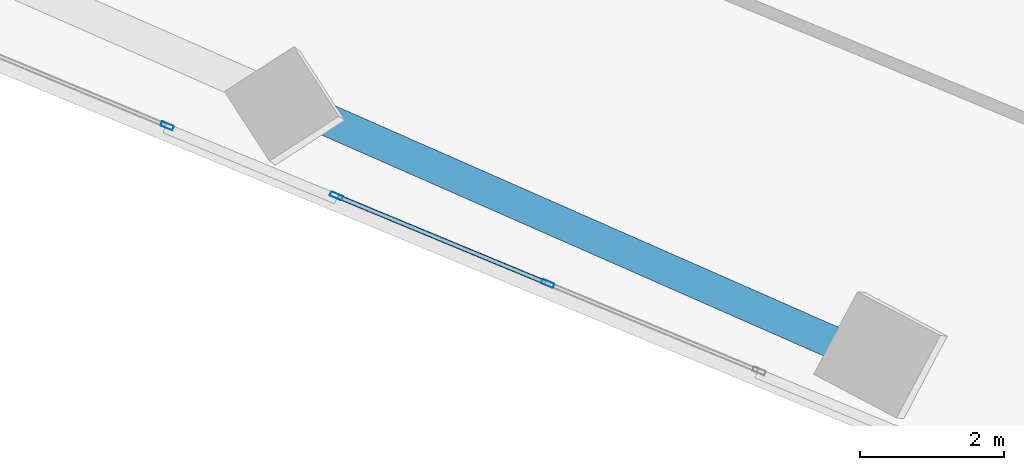
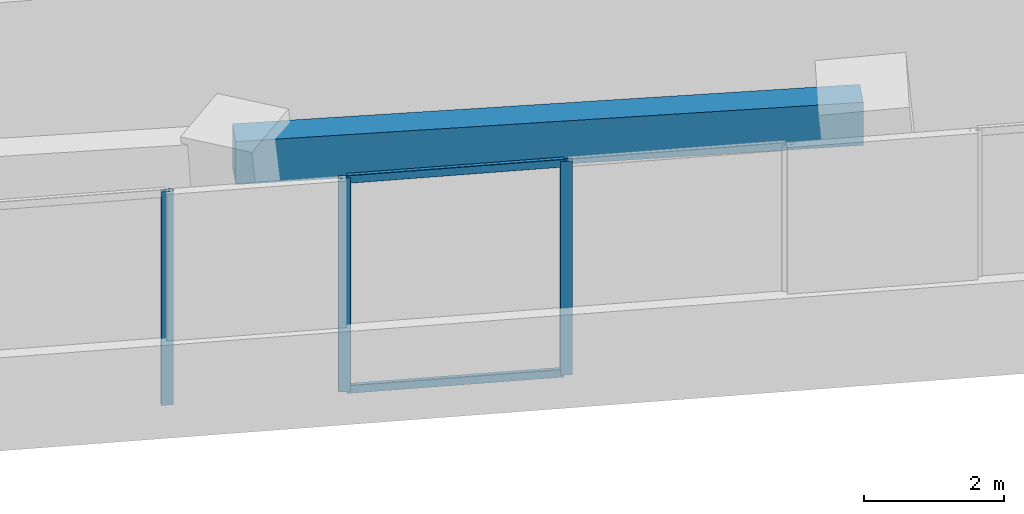
# One storey, part 2 of 23: 5 members, 1 beam, 2 elements without a shape of their own.
"""IFC4 building model written with IfcOpenShell, lengths in metres."""

from ifc_helpers import new_model, si_unit, direction, frame, origin, origin_2d, place, context, subcontext, project, spatial, rectangle, hollow_rectangle, extrude, source, transform, mapped, material, material_profile, profile_set, type_object, element, aggregate, save


model = new_model("IFC4")

# Units and contexts
model_context = context("Model", 3, precision=1e-05, world=origin(), true_north=direction((0.0, 1.0)))
body_context = subcontext(model_context, "Body", "Model", "MODEL_VIEW")
ifc_project = project(units=[si_unit("LENGTHUNIT", "METRE"), si_unit("AREAUNIT", "SQUARE_METRE"), si_unit("VOLUMEUNIT", "CUBIC_METRE"), si_unit("PLANEANGLEUNIT", "RADIAN"), si_unit("MASSUNIT", "GRAM", prefix="KILO")], contexts=[model_context])

# Site, building, storey
site_placement = place(None, origin())
site = spatial("IfcSite", under=ifc_project, at=site_placement, CompositionType="ELEMENT")
building_placement = place(site_placement, origin())
building = spatial("IfcBuilding", under=site, at=building_placement, Name="Torre Montelarca", CompositionType="ELEMENT")
storey_placement = place(building_placement, frame((0.0, 0.0, 145.60009765625)))
storey = spatial("IfcBuildingStorey", under=building, at=storey_placement, Name="L32", CompositionType="ELEMENT", Elevation=145.60009765625)

# Beam
ifc_material_1 = material(Name="Concrete C55/67", Category="concrete")
ifc_material_profile_1 = material_profile(ifc_material_1, rectangle(XDim=0.449951171875, YDim=0.75, at=origin_2d()), Name="RCB450X750", Category="concrete")
ifc_profile_set_1 = profile_set([ifc_material_profile_1], Name="Concrete C55/67")
beam_type = type_object("IfcBeamType", Name="BM-SP-RC750-EXT", PredefinedType="SPANDREL", material=ifc_profile_set_1)
shared_shape_1 = source(origin(), body_context, "Body", "SweptSolid", [
    extrude(rectangle(XDim=0.449951171875, YDim=0.75, at=origin_2d()), origin(), (0.0, 0.0, 1.0), 9.0),
])
beam_placement = place(storey_placement, frame((11.369140625, 17.666259765625, 3.5849609375), z_axis=(0.915309832452, -0.402750432174, 0.0), x_axis=(0.402750432174, 0.915309832452, 0.0)))
element("IfcBeam", 1, at=beam_placement, inside=storey, type_object=beam_type, Name="L32 Grid Girder X 18.0-27.0 at Y=14.8", PredefinedType="SPANDREL", context=body_context, shape_type="MappedRepresentation", body=[
    mapped(shared_shape_1, transform((0.0, 0.0, 0.0), scale=1.0)),
])

# Curtain wall, member
ifc_material_2 = material(Name="Insulated low-E laminated glass", Category="glass")
curtain_wall_type = type_object("IfcCurtainWallType", Name="CW-SYS-Z2", PredefinedType="USERDEFINED", material=ifc_material_2)
curtain_wall_1_placement = place(storey_placement, origin())
curtain_wall_1 = element("IfcCurtainWall", 2, at=curtain_wall_1_placement, inside=storey, type_object=curtain_wall_type, Name="L32 Curtain Wall Run CW-T3-L32-E01-B1", ObjectType="UNITISED GLAZING", PredefinedType="USERDEFINED")
ifc_material_3 = material(Name="Anodised aluminium AA 6063-T6", Category="aluminium")
ifc_material_profile_2 = material_profile(ifc_material_3, hollow_rectangle(XDim=0.06494140625, YDim=0.179931640625, WallThickness=0.00390625, InnerFilletRadius=0.00390625, OuterFilletRadius=0.008056640625, at=origin_2d()), Name="ALU65X180X4", Category="aluminium")
ifc_profile_set_2 = profile_set([ifc_material_profile_2], Name="Anodised aluminium AA 6063-T6")
member_type_1 = type_object("IfcMemberType", Name="CWM-ALU180", PredefinedType="MULLION", material=ifc_profile_set_2)
shared_shape_2 = source(origin(), body_context, "Body", "SweptSolid", [
    extrude(hollow_rectangle(XDim=0.06494140625, YDim=0.179931640625, WallThickness=0.00390625, InnerFilletRadius=0.00390625, OuterFilletRadius=0.008056640625, at=origin_2d()), origin(), (0.0, 0.0, 1.0), 3.719970703125),
])
member_1_placement = place(storey_placement, frame((10.000732421875, 17.204345703125, 0.0), z_axis=(0.0, 0.0, 1.0), x_axis=(0.38268343759, 0.923879530347, 0.0)))
member_1 = element("IfcMember", 3, at=member_1_placement, type_object=member_type_1, Name="CW mullion 3", PredefinedType="MULLION", context=body_context, shape_type="MappedRepresentation", body=[
    mapped(shared_shape_2, transform((0.0, 0.0, 0.0), scale=1.0)),
])
aggregate(curtain_wall_1, [member_1])

# Curtain wall, members
curtain_wall_2_placement = place(storey_placement, origin())
curtain_wall_2 = element("IfcCurtainWall", 4, at=curtain_wall_2_placement, inside=storey, type_object=curtain_wall_type, Name="L32 Curtain Wall Run CW-T3-L32-E01-B2", ObjectType="UNITISED GLAZING", PredefinedType="USERDEFINED")
member_2_placement = place(storey_placement, frame((12.35595703125, 16.228759765625, 0.0), z_axis=(0.0, 0.0, 1.0), x_axis=(0.382682377839, 0.92387996931, 0.0)))
member_2 = element("IfcMember", 5, at=member_2_placement, type_object=member_type_1, Name="CW mullion 1", PredefinedType="MULLION", context=body_context, shape_type="MappedRepresentation", body=[
    mapped(shared_shape_2, transform((0.0, 0.0, 0.0), scale=1.0)),
])
member_3_placement = place(storey_placement, frame((15.30029296875, 15.009033203125, 0.0), z_axis=(0.0, 0.0, 1.0), x_axis=(0.382682377839, 0.92387996931, 0.0)))
member_3 = element("IfcMember", 6, at=member_3_placement, type_object=member_type_1, Name="CW mullion 2", PredefinedType="MULLION", context=body_context, shape_type="MappedRepresentation", body=[
    mapped(shared_shape_2, transform((0.0, 0.0, 0.0), scale=1.0)),
])
ifc_material_profile_3 = material_profile(ifc_material_3, hollow_rectangle(XDim=0.06494140625, YDim=0.139892578125, WallThickness=0.00390625, InnerFilletRadius=0.00390625, OuterFilletRadius=0.008056640625, at=origin_2d()), Name="ALU65X140X4", Category="aluminium")
ifc_profile_set_3 = profile_set([ifc_material_profile_3], Name="Anodised aluminium AA 6063-T6")
member_type_2 = type_object("IfcMemberType", Name="CWT-ALU140", PredefinedType="USERDEFINED", material=ifc_profile_set_3)
shared_shape_3 = source(origin(), body_context, "Body", "SweptSolid", [
    extrude(hollow_rectangle(XDim=0.06494140625, YDim=0.139892578125, WallThickness=0.00390625, InnerFilletRadius=0.00390625, OuterFilletRadius=0.008056640625, at=origin_2d()), origin(), (0.0, 0.0, 1.0), 3.1220703125),
])
member_4_placement = place(storey_placement, frame((12.385986328125, 16.21630859375, 0.032470703125), z_axis=(0.923866233876, -0.382715536532, 0.0), x_axis=(0.382715536532, 0.923866233876, 0.0)))
member_4 = element("IfcMember", 7, at=member_4_placement, type_object=member_type_2, Name="CW transom 1.1", ObjectType="TRANSOM", PredefinedType="USERDEFINED", context=body_context, shape_type="MappedRepresentation", body=[
    mapped(shared_shape_3, transform((0.0, 0.0, 0.0), scale=1.0)),
])
member_5_placement = place(storey_placement, frame((12.385986328125, 16.21630859375, 3.6875), z_axis=(0.923866233876, -0.382715536532, 0.0), x_axis=(0.382715536532, 0.923866233876, 0.0)))
member_5 = element("IfcMember", 8, at=member_5_placement, type_object=member_type_2, Name="CW transom 1.2", ObjectType="TRANSOM", PredefinedType="USERDEFINED", context=body_context, shape_type="MappedRepresentation", body=[
    mapped(shared_shape_3, transform((0.0, 0.0, 0.0), scale=1.0)),
])
aggregate(curtain_wall_2, [member_2, member_3, member_4, member_5])

save(model, "model.ifc")
